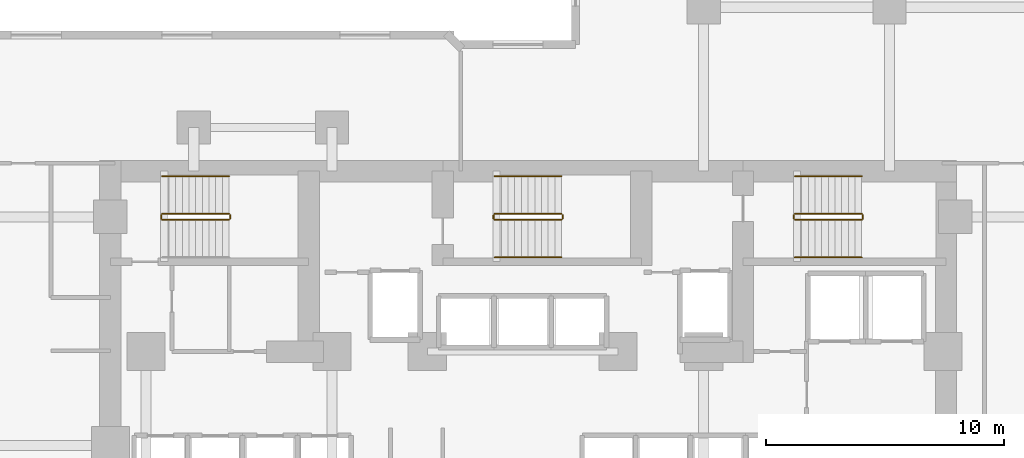
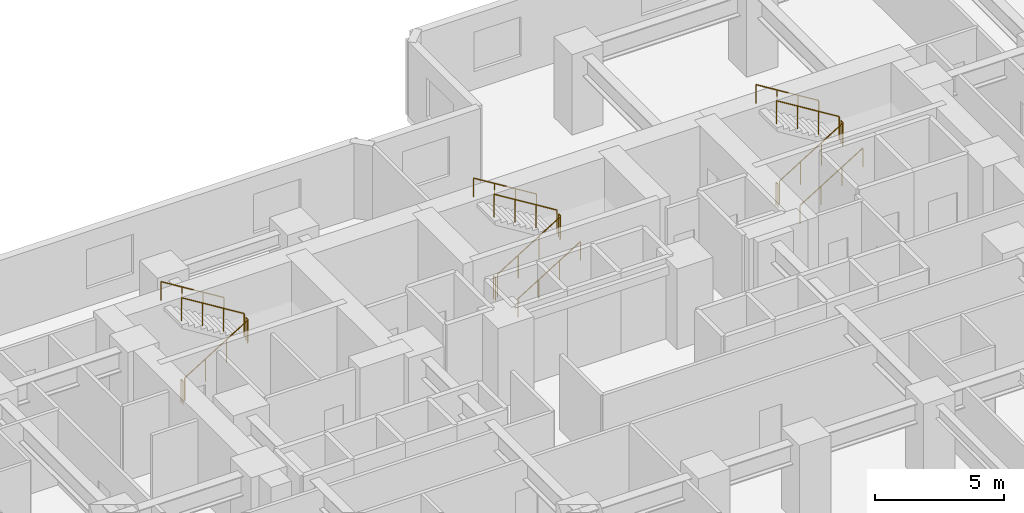
# One storey, part 11 of 11: 17 railings.
"""IFC4 building model written with IfcOpenShell, lengths in metres."""

from ifc_helpers import new_model, si_unit, direction, frame, origin, origin_2d, place, context, subcontext, project, spatial, circle, extrude, material, type_object, element, save


model = new_model("IFC4")

# Units and contexts
model_context = context("Model", 3, precision=1e-05, world=origin(), true_north=direction((0.0, 1.0)))
body_context = subcontext(model_context, "Body", "Model", "MODEL_VIEW")
ifc_project = project(units=[si_unit("LENGTHUNIT", "METRE"), si_unit("AREAUNIT", "SQUARE_METRE"), si_unit("VOLUMEUNIT", "CUBIC_METRE"), si_unit("PLANEANGLEUNIT", "RADIAN"), si_unit("MASSUNIT", "GRAM", prefix="KILO")], contexts=[model_context])

# Site, building, storey
site_placement = place(None, origin())
site = spatial("IfcSite", under=ifc_project, at=site_placement, CompositionType="ELEMENT")
building_placement = place(site_placement, origin())
building = spatial("IfcBuilding", under=site, at=building_placement, Name="Kestravale Grand Hotel", CompositionType="ELEMENT")
storey_placement = place(building_placement, frame((0.0, 0.0, 37.39990234375)))
storey = spatial("IfcBuildingStorey", under=building, at=storey_placement, Name="L08", CompositionType="ELEMENT", Elevation=37.39990234375)

# Railings
ifc_material_1 = material(Name="Painted tubular steel stair well guard", Category="steel")
railing_type_1 = type_object("IfcRailingType", Name="RL-ST-GRD1100", PredefinedType="GUARDRAIL", material=ifc_material_1)
railing_1_placement = place(storey_placement, frame((24.080078125, 38.280029296875, 0.1728515625)))
element("IfcRailing", 1, at=railing_1_placement, inside=storey, type_object=railing_type_1, Name="L08 ST-1 stair guard 1", PredefinedType="GUARDRAIL", context=body_context, shape_type="SweptSolid", body=[
    extrude(circle(Radius=0.02392578125, at=origin_2d()), frame((0.0, 0.0, 1.076171875), z_axis=(0.851069175582, 0.0, 0.525053576669), x_axis=(0.0, 1.0, 0.0)), (0.0, 0.0, 1.0), 3.289794921875),
    extrude(circle(Radius=0.02099609375, at=origin_2d()), origin(), (0.0, 0.0, 1.0), 1.052001953125),
    extrude(circle(Radius=0.02099609375, at=origin_2d()), frame((0.933349609375, 0.0, 0.57568359375)), (0.0, 0.0, 1.0), 1.052001953125),
    extrude(circle(Radius=0.02099609375, at=origin_2d()), frame((1.866455078125, 0.0, 1.151611328125)), (0.0, 0.0, 1.0), 1.052001953125),
    extrude(circle(Radius=0.02099609375, at=origin_2d()), frame((2.7998046875, 0.0, 1.727294921875)), (0.0, 0.0, 1.0), 1.052001953125),
])
railing_2_placement = place(storey_placement, frame((26.929931640625, 38.330078125, 1.900146484375)))
element("IfcRailing", 2, at=railing_2_placement, inside=storey, type_object=railing_type_1, Name="L08 ST-1 stair guard 2", PredefinedType="GUARDRAIL", context=body_context, shape_type="SweptSolid", body=[
    extrude(circle(Radius=0.02392578125, at=origin_2d()), frame((0.0, 0.0, 1.076171875), z_axis=(0.0, 1.0, 0.0), x_axis=(-1.0, 0.0, 0.0)), (0.0, 0.0, 1.0), 0.14990234375),
    extrude(circle(Radius=0.02099609375, at=origin_2d()), origin(), (0.0, 0.0, 1.0), 1.052001953125),
    extrude(circle(Radius=0.02099609375, at=origin_2d()), frame((0.0, 0.14990234375, 0.0)), (0.0, 0.0, 1.0), 1.052001953125),
])
railing_3_placement = place(storey_placement, frame((26.8798828125, 38.530029296875, 2.07275390625)))
element("IfcRailing", 3, at=railing_3_placement, inside=storey, type_object=railing_type_1, Name="L08 ST-1 stair guard 3", PredefinedType="GUARDRAIL", context=body_context, shape_type="SweptSolid", body=[
    extrude(circle(Radius=0.02392578125, at=origin_2d()), frame((0.0, 0.0, 1.076171875), z_axis=(-0.851069175582, 0.0, 0.525053576669), x_axis=(0.0, -1.0, 0.0)), (0.0, 0.0, 1.0), 3.289794921875),
    extrude(circle(Radius=0.02099609375, at=origin_2d()), origin(), (0.0, 0.0, 1.0), 1.052001953125),
    extrude(circle(Radius=0.02099609375, at=origin_2d()), frame((-0.933349609375, 0.0, 0.57568359375)), (0.0, 0.0, 1.0), 1.052001953125),
    extrude(circle(Radius=0.02099609375, at=origin_2d()), frame((-1.866455078125, 0.0, 1.151611328125)), (0.0, 0.0, 1.0), 1.052001953125),
    extrude(circle(Radius=0.02099609375, at=origin_2d()), frame((-2.7998046875, 0.0, 1.727294921875)), (0.0, 0.0, 1.0), 1.052001953125),
])
railing_4_placement = place(storey_placement, frame((24.030029296875, 38.330078125, 0.0)))
element("IfcRailing", 4, at=railing_4_placement, inside=storey, type_object=railing_type_1, Name="L08 ST-1 stair guard 4", PredefinedType="GUARDRAIL", context=body_context, shape_type="SweptSolid", body=[
    extrude(circle(Radius=0.02392578125, at=origin_2d()), frame((0.0, 0.0, 1.076171875), z_axis=(0.0, 1.0, 0.0), x_axis=(-1.0, 0.0, 0.0)), (0.0, 0.0, 1.0), 0.14990234375),
    extrude(circle(Radius=0.02099609375, at=origin_2d()), origin(), (0.0, 0.0, 1.0), 1.052001953125),
    extrude(circle(Radius=0.02099609375, at=origin_2d()), frame((0.0, 0.14990234375, 0.0)), (0.0, 0.0, 1.0), 1.052001953125),
])
railing_5_placement = place(storey_placement, frame((38.030029296875, 38.280029296875, 0.1728515625)))
element("IfcRailing", 5, at=railing_5_placement, inside=storey, type_object=railing_type_1, Name="L08 ST-2 stair guard 1", PredefinedType="GUARDRAIL", context=body_context, shape_type="SweptSolid", body=[
    extrude(circle(Radius=0.02392578125, at=origin_2d()), frame((0.0, 0.0, 1.076171875), z_axis=(0.851089632645, 0.0, 0.525020415988), x_axis=(0.0, 1.0, 0.0)), (0.0, 0.0, 1.0), 3.2900390625),
    extrude(circle(Radius=0.02099609375, at=origin_2d()), origin(), (0.0, 0.0, 1.0), 1.052001953125),
    extrude(circle(Radius=0.02099609375, at=origin_2d()), frame((0.933349609375, 0.0, 0.57568359375)), (0.0, 0.0, 1.0), 1.052001953125),
    extrude(circle(Radius=0.02099609375, at=origin_2d()), frame((1.86669921875, 0.0, 1.151611328125)), (0.0, 0.0, 1.0), 1.052001953125),
    extrude(circle(Radius=0.02099609375, at=origin_2d()), frame((2.800048828125, 0.0, 1.727294921875)), (0.0, 0.0, 1.0), 1.052001953125),
])
railing_6_placement = place(storey_placement, frame((40.8798828125, 38.330078125, 1.900146484375)))
element("IfcRailing", 6, at=railing_6_placement, inside=storey, type_object=railing_type_1, Name="L08 ST-2 stair guard 2", PredefinedType="GUARDRAIL", context=body_context, shape_type="SweptSolid", body=[
    extrude(circle(Radius=0.02392578125, at=origin_2d()), frame((0.0, 0.0, 1.076171875), z_axis=(0.0, 1.0, 0.0), x_axis=(-1.0, 0.0, 0.0)), (0.0, 0.0, 1.0), 0.14990234375),
    extrude(circle(Radius=0.02099609375, at=origin_2d()), origin(), (0.0, 0.0, 1.0), 1.052001953125),
    extrude(circle(Radius=0.02099609375, at=origin_2d()), frame((0.0, 0.14990234375, 0.0)), (0.0, 0.0, 1.0), 1.052001953125),
])
railing_7_placement = place(storey_placement, frame((40.830078125, 38.530029296875, 2.07275390625)))
element("IfcRailing", 7, at=railing_7_placement, inside=storey, type_object=railing_type_1, Name="L08 ST-2 stair guard 3", PredefinedType="GUARDRAIL", context=body_context, shape_type="SweptSolid", body=[
    extrude(circle(Radius=0.02392578125, at=origin_2d()), frame((0.0, 0.0, 1.076171875), z_axis=(-0.851089632645, 0.0, 0.525020415988), x_axis=(0.0, -1.0, 0.0)), (0.0, 0.0, 1.0), 3.2900390625),
    extrude(circle(Radius=0.02099609375, at=origin_2d()), origin(), (0.0, 0.0, 1.0), 1.052001953125),
    extrude(circle(Radius=0.02099609375, at=origin_2d()), frame((-0.933349609375, 0.0, 0.57568359375)), (0.0, 0.0, 1.0), 1.052001953125),
    extrude(circle(Radius=0.02099609375, at=origin_2d()), frame((-1.86669921875, 0.0, 1.151611328125)), (0.0, 0.0, 1.0), 1.052001953125),
    extrude(circle(Radius=0.02099609375, at=origin_2d()), frame((-2.800048828125, 0.0, 1.727294921875)), (0.0, 0.0, 1.0), 1.052001953125),
])
railing_8_placement = place(storey_placement, frame((37.97998046875, 38.330078125, 0.0)))
element("IfcRailing", 8, at=railing_8_placement, inside=storey, type_object=railing_type_1, Name="L08 ST-2 stair guard 4", PredefinedType="GUARDRAIL", context=body_context, shape_type="SweptSolid", body=[
    extrude(circle(Radius=0.02392578125, at=origin_2d()), frame((0.0, 0.0, 1.076171875), z_axis=(0.0, 1.0, 0.0), x_axis=(-1.0, 0.0, 0.0)), (0.0, 0.0, 1.0), 0.14990234375),
    extrude(circle(Radius=0.02099609375, at=origin_2d()), origin(), (0.0, 0.0, 1.0), 1.052001953125),
    extrude(circle(Radius=0.02099609375, at=origin_2d()), frame((0.0, 0.14990234375, 0.0)), (0.0, 0.0, 1.0), 1.052001953125),
])
railing_9_placement = place(storey_placement, frame((50.6298828125, 38.280029296875, 0.1728515625)))
element("IfcRailing", 9, at=railing_9_placement, inside=storey, type_object=railing_type_1, Name="L08 ST-3 stair guard 1", PredefinedType="GUARDRAIL", context=body_context, shape_type="SweptSolid", body=[
    extrude(circle(Radius=0.02392578125, at=origin_2d()), frame((0.0, 0.0, 1.076171875), z_axis=(0.851089632645, 0.0, 0.525020415988), x_axis=(0.0, 1.0, 0.0)), (0.0, 0.0, 1.0), 3.2900390625),
    extrude(circle(Radius=0.02099609375, at=origin_2d()), origin(), (0.0, 0.0, 1.0), 1.052001953125),
    extrude(circle(Radius=0.02099609375, at=origin_2d()), frame((0.933349609375, 0.0, 0.57568359375)), (0.0, 0.0, 1.0), 1.052001953125),
    extrude(circle(Radius=0.02099609375, at=origin_2d()), frame((1.86669921875, 0.0, 1.151611328125)), (0.0, 0.0, 1.0), 1.052001953125),
    extrude(circle(Radius=0.02099609375, at=origin_2d()), frame((2.800048828125, 0.0, 1.727294921875)), (0.0, 0.0, 1.0), 1.052001953125),
])
railing_10_placement = place(storey_placement, frame((53.47998046875, 38.330078125, 1.900146484375)))
element("IfcRailing", 10, at=railing_10_placement, inside=storey, type_object=railing_type_1, Name="L08 ST-3 stair guard 2", PredefinedType="GUARDRAIL", context=body_context, shape_type="SweptSolid", body=[
    extrude(circle(Radius=0.02392578125, at=origin_2d()), frame((0.0, 0.0, 1.076171875), z_axis=(0.0, 1.0, 0.0), x_axis=(-1.0, 0.0, 0.0)), (0.0, 0.0, 1.0), 0.14990234375),
    extrude(circle(Radius=0.02099609375, at=origin_2d()), origin(), (0.0, 0.0, 1.0), 1.052001953125),
    extrude(circle(Radius=0.02099609375, at=origin_2d()), frame((0.0, 0.14990234375, 0.0)), (0.0, 0.0, 1.0), 1.052001953125),
])
railing_11_placement = place(storey_placement, frame((53.429931640625, 38.530029296875, 2.07275390625)))
element("IfcRailing", 11, at=railing_11_placement, inside=storey, type_object=railing_type_1, Name="L08 ST-3 stair guard 3", PredefinedType="GUARDRAIL", context=body_context, shape_type="SweptSolid", body=[
    extrude(circle(Radius=0.02392578125, at=origin_2d()), frame((0.0, 0.0, 1.076171875), z_axis=(-0.851089632645, 0.0, 0.525020415988), x_axis=(0.0, -1.0, 0.0)), (0.0, 0.0, 1.0), 3.2900390625),
    extrude(circle(Radius=0.02099609375, at=origin_2d()), origin(), (0.0, 0.0, 1.0), 1.052001953125),
    extrude(circle(Radius=0.02099609375, at=origin_2d()), frame((-0.933349609375, 0.0, 0.57568359375)), (0.0, 0.0, 1.0), 1.052001953125),
    extrude(circle(Radius=0.02099609375, at=origin_2d()), frame((-1.86669921875, 0.0, 1.151611328125)), (0.0, 0.0, 1.0), 1.052001953125),
    extrude(circle(Radius=0.02099609375, at=origin_2d()), frame((-2.800048828125, 0.0, 1.727294921875)), (0.0, 0.0, 1.0), 1.052001953125),
])
railing_12_placement = place(storey_placement, frame((50.580078125, 38.330078125, 0.0)))
element("IfcRailing", 12, at=railing_12_placement, inside=storey, type_object=railing_type_1, Name="L08 ST-3 stair guard 4", PredefinedType="GUARDRAIL", context=body_context, shape_type="SweptSolid", body=[
    extrude(circle(Radius=0.02392578125, at=origin_2d()), frame((0.0, 0.0, 1.076171875), z_axis=(0.0, 1.0, 0.0), x_axis=(-1.0, 0.0, 0.0)), (0.0, 0.0, 1.0), 0.14990234375),
    extrude(circle(Radius=0.02099609375, at=origin_2d()), origin(), (0.0, 0.0, 1.0), 1.052001953125),
    extrude(circle(Radius=0.02099609375, at=origin_2d()), frame((0.0, 0.14990234375, 0.0)), (0.0, 0.0, 1.0), 1.052001953125),
])
ifc_material_2 = material(Name="Brushed stainless steel wall handrail", Category="steel")
railing_type_2 = type_object("IfcRailingType", Name="RL-ST-HND900", PredefinedType="HANDRAIL", material=ifc_material_2)
railing_13_placement = place(storey_placement, frame((26.8798828125, 40.110107421875, 2.07275390625)))
element("IfcRailing", 13, at=railing_13_placement, inside=storey, type_object=railing_type_2, Name="L08 ST-1 stair handrail 2", PredefinedType="HANDRAIL", context=body_context, shape_type="SweptSolid", body=[
    extrude(circle(Radius=0.02392578125, at=origin_2d()), frame((0.0, 0.0, 0.8759765625), z_axis=(-0.851069175582, 0.0, 0.525053576669), x_axis=(0.0, -1.0, 0.0)), (0.0, 0.0, 1.0), 3.289794921875),
    extrude(circle(Radius=0.02099609375, at=origin_2d()), origin(), (0.0, 0.0, 1.0), 0.851806640625),
    extrude(circle(Radius=0.02099609375, at=origin_2d()), frame((-0.933349609375, 0.0, 0.57568359375)), (0.0, 0.0, 1.0), 0.851806640625),
    extrude(circle(Radius=0.02099609375, at=origin_2d()), frame((-1.866455078125, 0.0, 1.151611328125)), (0.0, 0.0, 1.0), 0.851806640625),
    extrude(circle(Radius=0.02099609375, at=origin_2d()), frame((-2.7998046875, 0.0, 1.727294921875)), (0.0, 0.0, 1.0), 0.851806640625),
])
railing_14_placement = place(storey_placement, frame((38.030029296875, 36.699951171875, 0.1728515625)))
element("IfcRailing", 14, at=railing_14_placement, inside=storey, type_object=railing_type_2, Name="L08 ST-2 stair handrail 1", PredefinedType="HANDRAIL", context=body_context, shape_type="SweptSolid", body=[
    extrude(circle(Radius=0.02392578125, at=origin_2d()), frame((0.0, 0.0, 0.8759765625), z_axis=(0.851089632645, 0.0, 0.525020415988), x_axis=(0.0, 1.0, 0.0)), (0.0, 0.0, 1.0), 3.2900390625),
    extrude(circle(Radius=0.02099609375, at=origin_2d()), origin(), (0.0, 0.0, 1.0), 0.851806640625),
    extrude(circle(Radius=0.02099609375, at=origin_2d()), frame((0.933349609375, 0.0, 0.57568359375)), (0.0, 0.0, 1.0), 0.851806640625),
    extrude(circle(Radius=0.02099609375, at=origin_2d()), frame((1.86669921875, 0.0, 1.151611328125)), (0.0, 0.0, 1.0), 0.851806640625),
    extrude(circle(Radius=0.02099609375, at=origin_2d()), frame((2.800048828125, 0.0, 1.727294921875)), (0.0, 0.0, 1.0), 0.851806640625),
])
railing_15_placement = place(storey_placement, frame((40.830078125, 40.110107421875, 2.07275390625)))
element("IfcRailing", 15, at=railing_15_placement, inside=storey, type_object=railing_type_2, Name="L08 ST-2 stair handrail 2", PredefinedType="HANDRAIL", context=body_context, shape_type="SweptSolid", body=[
    extrude(circle(Radius=0.02392578125, at=origin_2d()), frame((0.0, 0.0, 0.8759765625), z_axis=(-0.851089632645, 0.0, 0.525020415988), x_axis=(0.0, -1.0, 0.0)), (0.0, 0.0, 1.0), 3.2900390625),
    extrude(circle(Radius=0.02099609375, at=origin_2d()), origin(), (0.0, 0.0, 1.0), 0.851806640625),
    extrude(circle(Radius=0.02099609375, at=origin_2d()), frame((-0.933349609375, 0.0, 0.57568359375)), (0.0, 0.0, 1.0), 0.851806640625),
    extrude(circle(Radius=0.02099609375, at=origin_2d()), frame((-1.86669921875, 0.0, 1.151611328125)), (0.0, 0.0, 1.0), 0.851806640625),
    extrude(circle(Radius=0.02099609375, at=origin_2d()), frame((-2.800048828125, 0.0, 1.727294921875)), (0.0, 0.0, 1.0), 0.851806640625),
])
railing_16_placement = place(storey_placement, frame((50.6298828125, 36.699951171875, 0.1728515625)))
element("IfcRailing", 16, at=railing_16_placement, inside=storey, type_object=railing_type_2, Name="L08 ST-3 stair handrail 1", PredefinedType="HANDRAIL", context=body_context, shape_type="SweptSolid", body=[
    extrude(circle(Radius=0.02392578125, at=origin_2d()), frame((0.0, 0.0, 0.8759765625), z_axis=(0.851089632645, 0.0, 0.525020415988), x_axis=(0.0, 1.0, 0.0)), (0.0, 0.0, 1.0), 3.2900390625),
    extrude(circle(Radius=0.02099609375, at=origin_2d()), origin(), (0.0, 0.0, 1.0), 0.851806640625),
    extrude(circle(Radius=0.02099609375, at=origin_2d()), frame((0.933349609375, 0.0, 0.57568359375)), (0.0, 0.0, 1.0), 0.851806640625),
    extrude(circle(Radius=0.02099609375, at=origin_2d()), frame((1.86669921875, 0.0, 1.151611328125)), (0.0, 0.0, 1.0), 0.851806640625),
    extrude(circle(Radius=0.02099609375, at=origin_2d()), frame((2.800048828125, 0.0, 1.727294921875)), (0.0, 0.0, 1.0), 0.851806640625),
])
railing_17_placement = place(storey_placement, frame((53.429931640625, 40.110107421875, 2.07275390625)))
element("IfcRailing", 17, at=railing_17_placement, inside=storey, type_object=railing_type_2, Name="L08 ST-3 stair handrail 2", PredefinedType="HANDRAIL", context=body_context, shape_type="SweptSolid", body=[
    extrude(circle(Radius=0.02392578125, at=origin_2d()), frame((0.0, 0.0, 0.8759765625), z_axis=(-0.851089632645, 0.0, 0.525020415988), x_axis=(0.0, -1.0, 0.0)), (0.0, 0.0, 1.0), 3.2900390625),
    extrude(circle(Radius=0.02099609375, at=origin_2d()), origin(), (0.0, 0.0, 1.0), 0.851806640625),
    extrude(circle(Radius=0.02099609375, at=origin_2d()), frame((-0.933349609375, 0.0, 0.57568359375)), (0.0, 0.0, 1.0), 0.851806640625),
    extrude(circle(Radius=0.02099609375, at=origin_2d()), frame((-1.86669921875, 0.0, 1.151611328125)), (0.0, 0.0, 1.0), 0.851806640625),
    extrude(circle(Radius=0.02099609375, at=origin_2d()), frame((-2.800048828125, 0.0, 1.727294921875)), (0.0, 0.0, 1.0), 0.851806640625),
])

save(model, "model.ifc")
